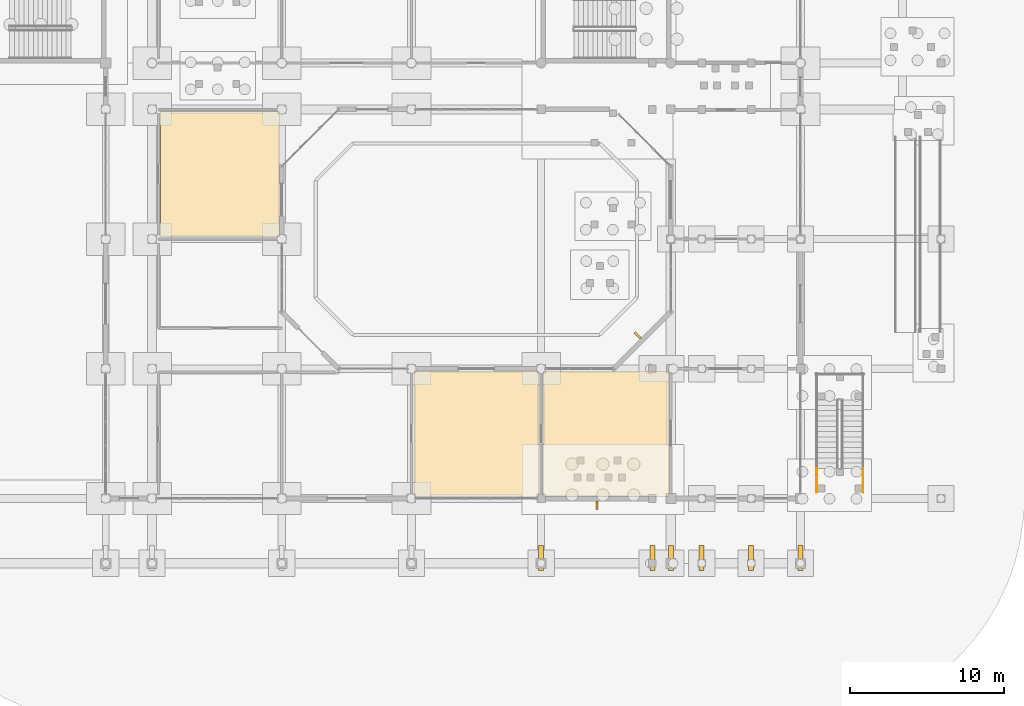
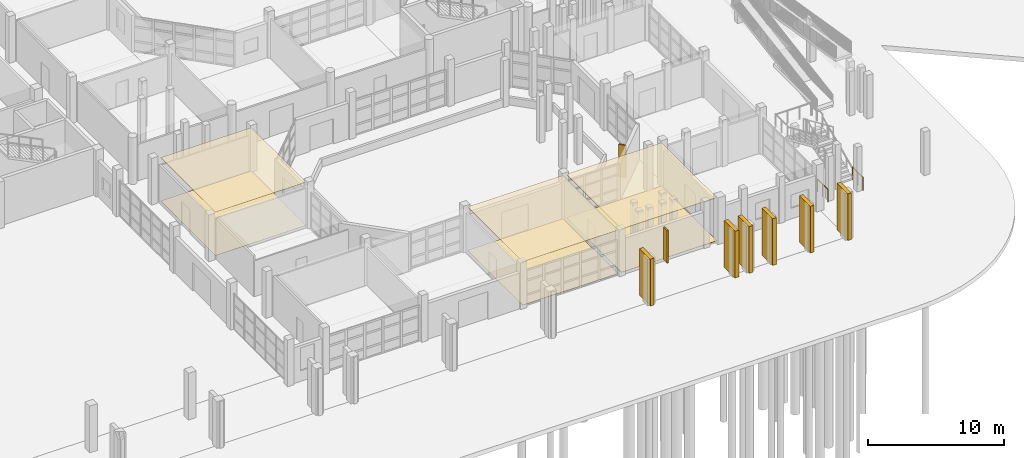
# One storey, part 73 of 88: 12 coverings, 2 railings, 2 shading devices.
"""IFC4 building model written with IfcOpenShell, lengths in metres."""

from ifc_helpers import new_model, si_unit, direction, frame, origin, origin_2d, place, context, subcontext, project, spatial, polyline, rectangle, circle, outline, extrude, material, layer, layer_set, type_object, element, save


model = new_model("IFC4")

# Units and contexts
model_context = context("Model", 3, precision=1e-05, world=origin(), true_north=direction((0.0, 1.0)))
body_context = subcontext(model_context, "Body", "Model", "MODEL_VIEW")
ifc_project = project(units=[si_unit("LENGTHUNIT", "METRE"), si_unit("AREAUNIT", "SQUARE_METRE"), si_unit("VOLUMEUNIT", "CUBIC_METRE"), si_unit("PLANEANGLEUNIT", "RADIAN"), si_unit("MASSUNIT", "GRAM", prefix="KILO")], contexts=[model_context])

# Site, building, storey
site_placement = place(None, origin())
site = spatial("IfcSite", under=ifc_project, at=site_placement, CompositionType="ELEMENT")
building_placement = place(site_placement, origin())
building = spatial("IfcBuilding", under=site, at=building_placement, Name="Vanh Quang Courtyard School", CompositionType="ELEMENT")
storey_placement = place(building_placement, origin())
storey = spatial("IfcBuildingStorey", under=building, at=storey_placement, Name="L00", CompositionType="ELEMENT", Elevation=0.0)

# Coverings
ifc_material_1 = material(Name="Perforated mineral-fibre acoustic ceiling board")
ifc_layer_1 = layer(ifc_material_1, 0.02490234375)
ifc_layer_set_1 = layer_set([ifc_layer_1], Name="Perforated mineral-fibre acoustic ceiling board")
covering_type_1 = type_object("IfcCoveringType", Name="COV-CEIL-ACOUSTIC", PredefinedType="CEILING", material=ifc_layer_set_1)
covering_1_placement = place(storey_placement, frame((0.0, 0.0, 3.89501953125)))
element("IfcCovering", 1, at=covering_1_placement, inside=storey, type_object=covering_type_1, Name="Covering CV-CL1 (L00)", PredefinedType="CEILING", context=body_context, shape_type="SweptSolid", body=[
    extrude(outline(polyline([(77.9599609375, 21.14990234375), (77.958984375, 21.14990234375), (77.9580078125, 21.150146484375), (77.95703125, 21.150390625), (77.956298828125, 21.15087890625), (77.955322265625, 21.151123046875), (77.954345703125, 21.151611328125), (77.95361328125, 21.15234375), (77.952880859375, 21.15283203125), (77.952392578125, 21.15380859375), (77.95166015625, 21.154296875), (77.951171875, 21.1552734375), (77.95068359375, 21.15625), (77.950439453125, 21.156982421875), (77.9501953125, 21.157958984375), (77.949951171875, 21.158935546875), (77.949951171875, 21.159912109375), (77.949951171875, 29.239990234375), (77.949951171875, 29.240966796875), (77.9501953125, 29.241943359375), (77.950439453125, 29.242919921875), (77.95068359375, 29.243896484375), (77.951171875, 29.24462890625), (77.95166015625, 29.24560546875), (77.952392578125, 29.246337890625), (77.952880859375, 29.2470703125), (77.95361328125, 29.247802734375), (77.954345703125, 29.248291015625), (77.955322265625, 29.248779296875), (77.956298828125, 29.249267578125), (77.95703125, 29.24951171875), (77.9580078125, 29.249755859375), (77.958984375, 29.25), (77.9599609375, 29.25), (85.659912109375, 29.25), (85.660888671875, 29.25), (85.662109375, 29.249755859375), (85.662841796875, 29.24951171875), (85.663818359375, 29.249267578125), (85.664794921875, 29.248779296875), (85.66552734375, 29.248291015625), (85.666259765625, 29.247802734375), (85.6669921875, 29.2470703125), (85.667724609375, 29.246337890625), (85.668212890625, 29.24560546875), (85.668701171875, 29.24462890625), (85.669189453125, 29.243896484375), (85.669677734375, 29.242919921875), (85.669921875, 29.241943359375), (85.669921875, 29.240966796875), (85.669921875, 29.239990234375), (85.669921875, 21.159912109375), (85.669921875, 21.158935546875), (85.669921875, 21.157958984375), (85.669677734375, 21.156982421875), (85.669189453125, 21.15625), (85.668701171875, 21.1552734375), (85.668212890625, 21.154296875), (85.667724609375, 21.15380859375), (85.6669921875, 21.15283203125), (85.666259765625, 21.15234375), (85.66552734375, 21.151611328125), (85.664794921875, 21.151123046875), (85.663818359375, 21.15087890625), (85.662841796875, 21.150390625), (85.662109375, 21.150146484375), (85.660888671875, 21.14990234375), (85.659912109375, 21.14990234375), (77.9599609375, 21.14990234375)])), origin(), (0.0, 0.0, 1.0), 0.02490234375),
])
covering_2_placement = place(storey_placement, frame((0.0, 0.0, 3.89501953125)))
element("IfcCovering", 2, at=covering_2_placement, inside=storey, type_object=covering_type_1, Name="Covering CV-CL1 (L00)", PredefinedType="CEILING", context=body_context, shape_type="SweptSolid", body=[
    extrude(outline(polyline([(94.35009765625, 12.4599609375), (94.35009765625, 12.4609375), (94.35009765625, 12.4619140625), (94.350341796875, 12.462890625), (94.350830078125, 12.4638671875), (94.351318359375, 12.464599609375), (94.351806640625, 12.465576171875), (94.352294921875, 12.46630859375), (94.352783203125, 12.467041015625), (94.353759765625, 12.4677734375), (94.3544921875, 12.46826171875), (94.355224609375, 12.46875), (94.356201171875, 12.46923828125), (94.357177734375, 12.469482421875), (94.35791015625, 12.4697265625), (94.35888671875, 12.469970703125), (94.360107421875, 12.469970703125), (102.4599609375, 12.469970703125), (102.4609375, 12.469970703125), (102.4619140625, 12.4697265625), (102.462890625, 12.469482421875), (102.4638671875, 12.46923828125), (102.464599609375, 12.46875), (102.465576171875, 12.46826171875), (102.46630859375, 12.4677734375), (102.467041015625, 12.467041015625), (102.4677734375, 12.46630859375), (102.46826171875, 12.465576171875), (102.46875, 12.464599609375), (102.46923828125, 12.4638671875), (102.469482421875, 12.462890625), (102.4697265625, 12.4619140625), (102.469970703125, 12.4609375), (102.469970703125, 12.4599609375), (102.469970703125, 4.340087890625), (102.469970703125, 4.339111328125), (102.4697265625, 4.337890625), (102.469482421875, 4.337158203125), (102.46923828125, 4.336181640625), (102.46875, 4.335205078125), (102.46826171875, 4.33447265625), (102.4677734375, 4.333740234375), (102.467041015625, 4.3330078125), (102.46630859375, 4.332275390625), (102.465576171875, 4.331787109375), (102.464599609375, 4.331298828125), (102.4638671875, 4.330810546875), (102.462890625, 4.330322265625), (102.4619140625, 4.330078125), (102.4609375, 4.330078125), (102.4599609375, 4.330078125), (94.360107421875, 4.330078125), (94.35888671875, 4.330078125), (94.35791015625, 4.330078125), (94.357177734375, 4.330322265625), (94.356201171875, 4.330810546875), (94.355224609375, 4.331298828125), (94.3544921875, 4.331787109375), (94.353759765625, 4.332275390625), (94.352783203125, 4.3330078125), (94.352294921875, 4.333740234375), (94.351806640625, 4.33447265625), (94.351318359375, 4.335205078125), (94.350830078125, 4.336181640625), (94.350341796875, 4.337158203125), (94.35009765625, 4.337890625), (94.35009765625, 4.339111328125), (94.35009765625, 4.340087890625), (94.35009765625, 12.4599609375)])), origin(), (0.0, 0.0, 1.0), 0.02490234375),
])
covering_3_placement = place(storey_placement, frame((0.0, 0.0, 3.89501953125)))
element("IfcCovering", 3, at=covering_3_placement, inside=storey, type_object=covering_type_1, Name="Covering CV-CL1 (L00)", PredefinedType="CEILING", context=body_context, shape_type="SweptSolid", body=[
    extrude(outline(polyline([(102.760009765625, 4.330078125), (102.759033203125, 4.330078125), (102.758056640625, 4.330078125), (102.757080078125, 4.330322265625), (102.756103515625, 4.330810546875), (102.75537109375, 4.331298828125), (102.75439453125, 4.331787109375), (102.753662109375, 4.332275390625), (102.7529296875, 4.3330078125), (102.752197265625, 4.333740234375), (102.751708984375, 4.33447265625), (102.751220703125, 4.335205078125), (102.750732421875, 4.336181640625), (102.75048828125, 4.337158203125), (102.750244140625, 4.337890625), (102.75, 4.339111328125), (102.75, 4.340087890625), (102.75, 12.4599609375), (102.75, 12.4609375), (102.750244140625, 12.4619140625), (102.75048828125, 12.462890625), (102.750732421875, 12.4638671875), (102.751220703125, 12.464599609375), (102.751708984375, 12.465576171875), (102.752197265625, 12.46630859375), (102.7529296875, 12.467041015625), (102.753662109375, 12.4677734375), (102.75439453125, 12.46826171875), (102.75537109375, 12.46875), (102.756103515625, 12.46923828125), (102.757080078125, 12.469482421875), (102.758056640625, 12.4697265625), (102.759033203125, 12.469970703125), (102.760009765625, 12.469970703125), (110.860107421875, 12.469970703125), (110.861083984375, 12.469970703125), (110.862060546875, 12.4697265625), (110.86279296875, 12.469482421875), (110.86376953125, 12.46923828125), (110.86474609375, 12.46875), (110.865478515625, 12.46826171875), (110.8662109375, 12.4677734375), (110.8671875, 12.467041015625), (110.86767578125, 12.46630859375), (110.868408203125, 12.465576171875), (110.868896484375, 12.464599609375), (110.869140625, 12.4638671875), (110.86962890625, 12.462890625), (110.869873046875, 12.4619140625), (110.8701171875, 12.4609375), (110.8701171875, 12.4599609375), (110.8701171875, 4.340087890625), (110.8701171875, 4.339111328125), (110.869873046875, 4.337890625), (110.86962890625, 4.337158203125), (110.869140625, 4.336181640625), (110.868896484375, 4.335205078125), (110.868408203125, 4.33447265625), (110.86767578125, 4.333740234375), (110.8671875, 4.3330078125), (110.8662109375, 4.332275390625), (110.865478515625, 4.331787109375), (110.86474609375, 4.331298828125), (110.86376953125, 4.330810546875), (110.86279296875, 4.330322265625), (110.862060546875, 4.330078125), (110.861083984375, 4.330078125), (110.860107421875, 4.330078125), (102.760009765625, 4.330078125)])), origin(), (0.0, 0.0, 1.0), 0.02490234375),
])
ifc_material_2 = material(Name="Polished cementitious terrazzo tile", Category="concrete")
ifc_layer_2 = layer(ifc_material_2, 0.02001953125)
ifc_layer_set_2 = layer_set([ifc_layer_2], Name="Polished cementitious terrazzo tile")
covering_type_2 = type_object("IfcCoveringType", Name="COV-FLR-TERRAZZO", PredefinedType="FLOORING", material=ifc_layer_set_2)
covering_4_placement = place(storey_placement, origin())
element("IfcCovering", 4, at=covering_4_placement, inside=storey, type_object=covering_type_2, Name="Covering CV-FL1 (L00)", PredefinedType="FLOORING", context=body_context, shape_type="SweptSolid", body=[
    extrude(outline(polyline([(77.9599609375, 21.14990234375), (77.958984375, 21.14990234375), (77.9580078125, 21.150146484375), (77.95703125, 21.150390625), (77.956298828125, 21.15087890625), (77.955322265625, 21.151123046875), (77.954345703125, 21.151611328125), (77.95361328125, 21.15234375), (77.952880859375, 21.15283203125), (77.952392578125, 21.15380859375), (77.95166015625, 21.154296875), (77.951171875, 21.1552734375), (77.95068359375, 21.15625), (77.950439453125, 21.156982421875), (77.9501953125, 21.157958984375), (77.949951171875, 21.158935546875), (77.949951171875, 21.159912109375), (77.949951171875, 29.239990234375), (77.949951171875, 29.240966796875), (77.9501953125, 29.241943359375), (77.950439453125, 29.242919921875), (77.95068359375, 29.243896484375), (77.951171875, 29.24462890625), (77.95166015625, 29.24560546875), (77.952392578125, 29.246337890625), (77.952880859375, 29.2470703125), (77.95361328125, 29.247802734375), (77.954345703125, 29.248291015625), (77.955322265625, 29.248779296875), (77.956298828125, 29.249267578125), (77.95703125, 29.24951171875), (77.9580078125, 29.249755859375), (77.958984375, 29.25), (77.9599609375, 29.25), (85.659912109375, 29.25), (85.660888671875, 29.25), (85.662109375, 29.249755859375), (85.662841796875, 29.24951171875), (85.663818359375, 29.249267578125), (85.664794921875, 29.248779296875), (85.66552734375, 29.248291015625), (85.666259765625, 29.247802734375), (85.6669921875, 29.2470703125), (85.667724609375, 29.246337890625), (85.668212890625, 29.24560546875), (85.668701171875, 29.24462890625), (85.669189453125, 29.243896484375), (85.669677734375, 29.242919921875), (85.669921875, 29.241943359375), (85.669921875, 29.240966796875), (85.669921875, 29.239990234375), (85.669921875, 21.159912109375), (85.669921875, 21.158935546875), (85.669921875, 21.157958984375), (85.669677734375, 21.156982421875), (85.669189453125, 21.15625), (85.668701171875, 21.1552734375), (85.668212890625, 21.154296875), (85.667724609375, 21.15380859375), (85.6669921875, 21.15283203125), (85.666259765625, 21.15234375), (85.66552734375, 21.151611328125), (85.664794921875, 21.151123046875), (85.663818359375, 21.15087890625), (85.662841796875, 21.150390625), (85.662109375, 21.150146484375), (85.660888671875, 21.14990234375), (85.659912109375, 21.14990234375), (77.9599609375, 21.14990234375)])), origin(), (0.0, 0.0, 1.0), 0.02001953125),
])
covering_5_placement = place(storey_placement, origin())
element("IfcCovering", 5, at=covering_5_placement, inside=storey, type_object=covering_type_2, Name="Covering CV-FL1 (L00)", PredefinedType="FLOORING", context=body_context, shape_type="SweptSolid", body=[
    extrude(outline(polyline([(94.35009765625, 12.4599609375), (94.35009765625, 12.4609375), (94.35009765625, 12.4619140625), (94.350341796875, 12.462890625), (94.350830078125, 12.4638671875), (94.351318359375, 12.464599609375), (94.351806640625, 12.465576171875), (94.352294921875, 12.46630859375), (94.352783203125, 12.467041015625), (94.353759765625, 12.4677734375), (94.3544921875, 12.46826171875), (94.355224609375, 12.46875), (94.356201171875, 12.46923828125), (94.357177734375, 12.469482421875), (94.35791015625, 12.4697265625), (94.35888671875, 12.469970703125), (94.360107421875, 12.469970703125), (102.4599609375, 12.469970703125), (102.4609375, 12.469970703125), (102.4619140625, 12.4697265625), (102.462890625, 12.469482421875), (102.4638671875, 12.46923828125), (102.464599609375, 12.46875), (102.465576171875, 12.46826171875), (102.46630859375, 12.4677734375), (102.467041015625, 12.467041015625), (102.4677734375, 12.46630859375), (102.46826171875, 12.465576171875), (102.46875, 12.464599609375), (102.46923828125, 12.4638671875), (102.469482421875, 12.462890625), (102.4697265625, 12.4619140625), (102.469970703125, 12.4609375), (102.469970703125, 12.4599609375), (102.469970703125, 4.340087890625), (102.469970703125, 4.339111328125), (102.4697265625, 4.337890625), (102.469482421875, 4.337158203125), (102.46923828125, 4.336181640625), (102.46875, 4.335205078125), (102.46826171875, 4.33447265625), (102.4677734375, 4.333740234375), (102.467041015625, 4.3330078125), (102.46630859375, 4.332275390625), (102.465576171875, 4.331787109375), (102.464599609375, 4.331298828125), (102.4638671875, 4.330810546875), (102.462890625, 4.330322265625), (102.4619140625, 4.330078125), (102.4609375, 4.330078125), (102.4599609375, 4.330078125), (94.360107421875, 4.330078125), (94.35888671875, 4.330078125), (94.35791015625, 4.330078125), (94.357177734375, 4.330322265625), (94.356201171875, 4.330810546875), (94.355224609375, 4.331298828125), (94.3544921875, 4.331787109375), (94.353759765625, 4.332275390625), (94.352783203125, 4.3330078125), (94.352294921875, 4.333740234375), (94.351806640625, 4.33447265625), (94.351318359375, 4.335205078125), (94.350830078125, 4.336181640625), (94.350341796875, 4.337158203125), (94.35009765625, 4.337890625), (94.35009765625, 4.339111328125), (94.35009765625, 4.340087890625), (94.35009765625, 12.4599609375)])), origin(), (0.0, 0.0, 1.0), 0.02001953125),
])
covering_6_placement = place(storey_placement, origin())
element("IfcCovering", 6, at=covering_6_placement, inside=storey, type_object=covering_type_2, Name="Covering CV-FL1 (L00)", PredefinedType="FLOORING", context=body_context, shape_type="SweptSolid", body=[
    extrude(outline(polyline([(102.760009765625, 4.330078125), (102.759033203125, 4.330078125), (102.758056640625, 4.330078125), (102.757080078125, 4.330322265625), (102.756103515625, 4.330810546875), (102.75537109375, 4.331298828125), (102.75439453125, 4.331787109375), (102.753662109375, 4.332275390625), (102.7529296875, 4.3330078125), (102.752197265625, 4.333740234375), (102.751708984375, 4.33447265625), (102.751220703125, 4.335205078125), (102.750732421875, 4.336181640625), (102.75048828125, 4.337158203125), (102.750244140625, 4.337890625), (102.75, 4.339111328125), (102.75, 4.340087890625), (102.75, 12.4599609375), (102.75, 12.4609375), (102.750244140625, 12.4619140625), (102.75048828125, 12.462890625), (102.750732421875, 12.4638671875), (102.751220703125, 12.464599609375), (102.751708984375, 12.465576171875), (102.752197265625, 12.46630859375), (102.7529296875, 12.467041015625), (102.753662109375, 12.4677734375), (102.75439453125, 12.46826171875), (102.75537109375, 12.46875), (102.756103515625, 12.46923828125), (102.757080078125, 12.469482421875), (102.758056640625, 12.4697265625), (102.759033203125, 12.469970703125), (102.760009765625, 12.469970703125), (110.860107421875, 12.469970703125), (110.861083984375, 12.469970703125), (110.862060546875, 12.4697265625), (110.86279296875, 12.469482421875), (110.86376953125, 12.46923828125), (110.86474609375, 12.46875), (110.865478515625, 12.46826171875), (110.8662109375, 12.4677734375), (110.8671875, 12.467041015625), (110.86767578125, 12.46630859375), (110.868408203125, 12.465576171875), (110.868896484375, 12.464599609375), (110.869140625, 12.4638671875), (110.86962890625, 12.462890625), (110.869873046875, 12.4619140625), (110.8701171875, 12.4609375), (110.8701171875, 12.4599609375), (110.8701171875, 4.340087890625), (110.8701171875, 4.339111328125), (110.869873046875, 4.337890625), (110.86962890625, 4.337158203125), (110.869140625, 4.336181640625), (110.868896484375, 4.335205078125), (110.868408203125, 4.33447265625), (110.86767578125, 4.333740234375), (110.8671875, 4.3330078125), (110.8662109375, 4.332275390625), (110.865478515625, 4.331787109375), (110.86474609375, 4.331298828125), (110.86376953125, 4.330810546875), (110.86279296875, 4.330322265625), (110.862060546875, 4.330078125), (110.861083984375, 4.330078125), (110.860107421875, 4.330078125), (102.760009765625, 4.330078125)])), origin(), (0.0, 0.0, 1.0), 0.02001953125),
])
ifc_material_3 = material(Name="Board-marked precast concrete C40/50", Category="concrete")
ifc_layer_3 = layer(ifc_material_3, 0.239990234375)
ifc_layer_set_3 = layer_set([ifc_layer_3], Name="Board-marked precast concrete C40/50")
covering_type_3 = type_object("IfcCoveringType", Name="COV-HOOD-CONC", PredefinedType="CLADDING", material=ifc_layer_set_3)
for number, where, z_axis, x_axis, name in (
    (7, (102.60009765625, 0.35009765625, 0.0), (0.0, 0.0, 1.0), (0.0, 1.0, 0.0), "Covering CH-01 (L00)"),
    (8, (111.0, 0.35009765625, 0.0), (0.0, 0.0, 1.0), (0.0, 1.0, 0.0), "Covering CH-01 (L00)"),
    (9, (119.39990234375, 0.35009765625, 0.0), (0.0, 0.0, 1.0), (0.0, 1.0, 0.0), "Covering CH-01 (L00)"),
    (10, (116.199951171875, 0.35009765625, 0.0), (0.0, 0.0, 1.0), (0.0, 1.0, 0.0), "Covering CH-01 (L00)"),
    (11, (113.0, 0.35009765625, 0.0), (0.0, 0.0, 1.0), (0.0, 1.0, 0.0), "Covering CH-01 (L00)"),
    (12, (109.800048828125, 0.35009765625, 0.0), (0.0, 0.0, 1.0), (0.0, 1.0, 0.0), "Covering CH-01 (L00)"),
):
    element("IfcCovering", number, at=place(storey_placement, frame(where, z_axis=z_axis, x_axis=x_axis)), inside=storey, type_object=covering_type_3, Name=name, PredefinedType="CLADDING", context=body_context, shape_type="SweptSolid", body=[
        extrude(rectangle(XDim=1.60009765625, YDim=0.320068359375, at=origin_2d()), origin(), (0.0, 0.0, 1.0), 4.199951171875),
    ])

# Railings
ifc_material_4 = material(Name="Galvanised painted steel EN 10025-2 S355J2", Category="steel")
railing_type = type_object("IfcRailingType", Name="RAIL-GUARD-1150", PredefinedType="BALUSTRADE", material=ifc_material_4)
for number, where, name in (
    (13, (123.449951171875, 4.60009765625, 0.0), "L00 ST-T1 stair guard 8"),
    (14, (120.449951171875, 4.60009765625, 0.0), "L00 ST-T1 stair guard 9"),
):
    element("IfcRailing", number, at=place(storey_placement, frame(where)), inside=storey, type_object=railing_type, Name=name, PredefinedType="BALUSTRADE", context=body_context, shape_type="SweptSolid", body=[
        extrude(circle(Radius=0.02392578125, at=origin_2d()), frame((0.0, 0.0, 1.1259765625), z_axis=(0.0, 1.0, 0.0), x_axis=(-1.0, 0.0, 0.0)), (0.0, 0.0, 1.0), 1.5498046875),
        extrude(circle(Radius=0.02099609375, at=origin_2d()), origin(), (0.0, 0.0, 1.0), 1.101806640625),
        extrude(circle(Radius=0.02099609375, at=origin_2d()), frame((0.0, 0.77490234375, 0.0)), (0.0, 0.0, 1.0), 1.101806640625),
        extrude(circle(Radius=0.02099609375, at=origin_2d()), frame((0.0, 1.5498046875, 0.0)), (0.0, 0.0, 1.0), 1.101806640625),
    ])

# Shading devices
shading_device_type = type_object("IfcShadingDeviceType", Name="SHD-FIN-CONCRETE", PredefinedType="USERDEFINED", material=ifc_material_3)
for number, where, z_axis, x_axis, name in (
    (15, (106.21240234375, 3.77490234375, 0.150146484375), (0.0, 0.0, 1.0), (-1.0, 0.0, 0.0), "Solar Shading SH-02 (L00)"),
    (16, (108.8515625, 14.74853515625, 0.150146484375), (0.0, 0.0, 1.0), (0.707106781187, 0.707106781187, 0.0), "Solar Shading SH-02 (L00)"),
):
    element("IfcShadingDevice", number, at=place(storey_placement, frame(where, z_axis=z_axis, x_axis=x_axis)), inside=storey, type_object=shading_device_type, Name=name, ObjectType="Solar Shading SH-02 (L00)", PredefinedType="USERDEFINED", context=body_context, shape_type="SweptSolid", body=[
        extrude(rectangle(XDim=0.139892578125, YDim=0.550048828125, at=origin_2d()), origin(), (0.0, 0.0, 1.0), 2.919921875),
    ])

save(model, "model.ifc")
